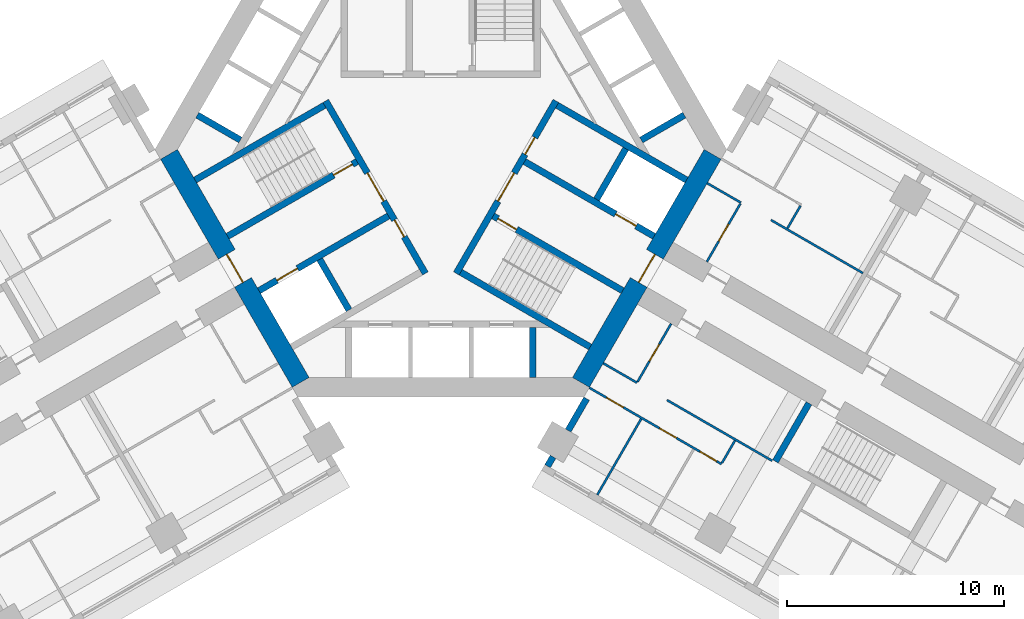
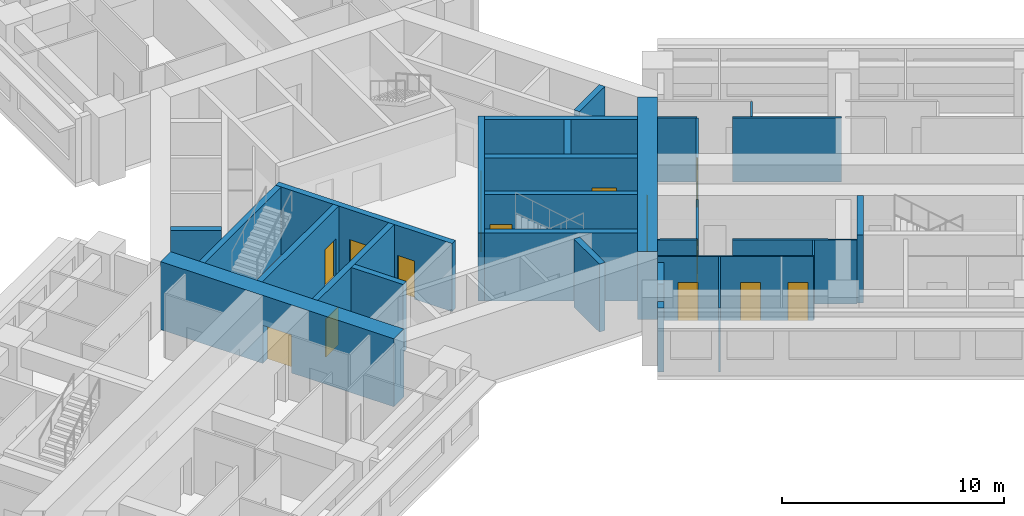
# One storey, part 7 of 16: 29 walls, 15 doors, 15 openings.
"""IFC4 building model written with IfcOpenShell, lengths in metres."""

from ifc_helpers import new_model, si_unit, direction, frame, frame_2d, origin, place, context, subcontext, project, spatial, rectangle, extrude, material, layer, layer_set, type_object, element, fill, save


model = new_model("IFC4")

# Units and contexts
model_context = context("Model", 3, precision=1e-05, world=origin(), true_north=direction((0.0, 1.0)))
body_context = subcontext(model_context, "Body", "Model", "MODEL_VIEW")
ifc_project = project(units=[si_unit("LENGTHUNIT", "METRE"), si_unit("AREAUNIT", "SQUARE_METRE"), si_unit("VOLUMEUNIT", "CUBIC_METRE"), si_unit("PLANEANGLEUNIT", "RADIAN"), si_unit("MASSUNIT", "GRAM", prefix="KILO")], contexts=[model_context])

# Site, building, storey
site_placement = place(None, origin())
site = spatial("IfcSite", under=ifc_project, at=site_placement, CompositionType="ELEMENT")
building_placement = place(site_placement, origin())
building = spatial("IfcBuilding", under=site, at=building_placement, Name="Impinga Residences", CompositionType="ELEMENT")
storey_placement = place(building_placement, frame((0.0, 0.0, 71.0)))
storey = spatial("IfcBuildingStorey", under=building, at=storey_placement, Name="L17", CompositionType="ELEMENT", Elevation=71.0)

# Walls
ifc_material_1 = material(Name="Terracotta rainscreen on blockwork", Category="masonry")
ifc_layer_1 = layer(ifc_material_1, 0.300048828125)
ifc_layer_set_1 = layer_set([ifc_layer_1], Name="EW1 external wall, terracotta rainscreen on blockwork 300")
wall_type_1 = type_object("IfcWallType", Name="EW1 external wall, terracotta rainscreen on blockwork 300", PredefinedType="SOLIDWALL", material=ifc_layer_set_1)
wall_1_placement = place(storey_placement, frame((4.929931640625, -14.624267578125, 0.0), z_axis=(0.0, 0.0, 1.0), x_axis=(0.499919672301, 0.866071776036, 0.0)))
element("IfcWall", 1, at=wall_1_placement, inside=storey, type_object=wall_type_1, Name="External wall EW1 L17", PredefinedType="SOLIDWALL", context=body_context, shape_type="SweptSolid", body=[
    extrude(rectangle(XDim=0.5, YDim=0.300048828125, at=frame_2d((0.25, 0.0))), origin(), (0.0, 0.0, 1.0), 3.530029296875),
])
wall_2_placement = place(storey_placement, frame((5.8798828125, -12.978759765625, 0.0), z_axis=(0.0, 0.0, 1.0), x_axis=(0.500062241894, 0.865989465428, 0.0)))
element("IfcWall", 2, at=wall_2_placement, inside=storey, type_object=wall_type_1, Name="External wall EW1 L17", PredefinedType="SOLIDWALL", context=body_context, shape_type="SweptSolid", body=[
    extrude(rectangle(XDim=1.699951171875, YDim=0.300048828125, at=frame_2d((0.85009765625, 0.0))), origin(), (0.0, 0.0, 1.0), 3.530029296875),
])
ifc_material_2 = material(Name="Gypsum board on steel studs", Category="steel")
ifc_layer_2 = layer(ifc_material_2, 0.10009765625)
ifc_layer_set_2 = layer_set([ifc_layer_2], Name="Gypsum board on steel studs")
wall_type_2 = type_object("IfcWallType", Name="IP1 partition 100", PredefinedType="PARTITIONING", material=ifc_layer_set_2)
wall_3_placement = place(storey_placement, frame((12.300048828125, -1.558837890625, 0.0), z_axis=(0.0, 0.0, 1.0), x_axis=(0.866047807691, -0.499961193289, 0.0)))
element("IfcWall", 3, at=wall_3_placement, inside=storey, type_object=wall_type_2, Name="Partition L17-EA1:DIV0", PredefinedType="PARTITIONING", context=body_context, shape_type="SweptSolid", body=[
    extrude(rectangle(XDim=1.800048828125, YDim=0.10009765625, at=frame_2d((0.89990234375, 0.0))), origin(), (0.0, 0.0, 1.0), 3.530029296875),
])
wall_4_placement = place(storey_placement, frame((15.244384765625, -3.2587890625, 0.0), z_axis=(0.0, 0.0, 1.0), x_axis=(0.866036242063, -0.49998122708, 0.0)))
element("IfcWall", 4, at=wall_4_placement, inside=storey, type_object=wall_type_2, Name="Partition L17-EA1:DIV1", PredefinedType="PARTITIONING", context=body_context, shape_type="SweptSolid", body=[
    extrude(rectangle(XDim=4.900146484375, YDim=0.10009765625, at=frame_2d((2.4501953125, 0.0))), origin(), (0.0, 0.0, 1.0), 3.530029296875),
])
wall_5_placement = place(storey_placement, frame((16.005615234375, -3.640625, 0.0), z_axis=(0.0, 0.0, 1.0), x_axis=(0.500033551112, 0.866006032174, 0.0)))
element("IfcWall", 5, at=wall_5_placement, inside=storey, type_object=wall_type_2, Name="Partition L17-EA1:SE1", PredefinedType="PARTITIONING", context=body_context, shape_type="SweptSolid", body=[
    extrude(rectangle(XDim=1.2001953125, YDim=0.10009765625, at=frame_2d((0.60009765625, 0.0))), origin(), (0.0, 0.0, 1.0), 3.530029296875),
])

# Wall, opening, door
wall_6_placement = place(storey_placement, frame((12.283935546875, -5.186767578125, 0.0), z_axis=(0.0, 0.0, 1.0), x_axis=(0.499967891604, 0.866043940782, 0.0)))
wall_6 = element("IfcWall", 6, at=wall_6_placement, inside=storey, type_object=wall_type_2, Name="Partition L17-EA1:IB1", PredefinedType="PARTITIONING", context=body_context, shape_type="SweptSolid", body=[
    extrude(rectangle(XDim=3.099853515625, YDim=0.10009765625, at=frame_2d((1.5498046875, 0.0))), origin(), (0.0, 0.0, 1.0), 3.530029296875),
])
opening_1_placement = place(wall_6_placement, frame((1.10009765625, 0.0, 0.0)))
opening_1 = element("IfcOpeningElement", 7, at=opening_1_placement, cuts=wall_6, Name="Opening D2", PredefinedType="OPENING", context=body_context, shape_type="SweptSolid", body=[
    extrude(rectangle(XDim=0.89990234375, YDim=2.10009765625, at=frame_2d((0.449951171875, 1.050048828125))), frame((0.0, 0.06005859375, 0.0), z_axis=(0.0, -1.0, 0.0), x_axis=(1.0, 0.0, 0.0)), (0.0, 0.0, 1.0), 0.1201171875),
])
ifc_material_3 = material(Name="Timber door set", Category="wood")
door_type_1 = type_object("IfcDoorType", Name="D2 internal door 900x2100", OperationType="SINGLE_SWING_LEFT", PredefinedType="DOOR", material=ifc_material_3)
door_1_placement = place(opening_1_placement, origin())
door_1 = element("IfcDoor", 8, at=door_1_placement, inside=storey, type_object=door_type_1, Name="Apartment L17-EA1 bathroom door", OperationType="SINGLE_SWING_LEFT", OverallHeight=2.10009765625, OverallWidth=0.89990234375, PredefinedType="DOOR", context=body_context, shape_type="SweptSolid", body=[
    extrude(rectangle(XDim=0.89990234375, YDim=2.10009765625, at=frame_2d((0.449951171875, 1.050048828125))), frame((0.0, 0.02490234375, 0.0), z_axis=(0.0, -1.0, 0.0), x_axis=(1.0, 0.0, 0.0)), (0.0, 0.0, 1.0), 0.050048828125),
])
fill(opening_1, door_1)

# Walls
wall_7_placement = place(storey_placement, frame((7.5, -9.872802734375, 0.0), z_axis=(0.0, 0.0, 1.0), x_axis=(0.866047807691, -0.499961193289, 0.0)))
element("IfcWall", 9, at=wall_7_placement, inside=storey, type_object=wall_type_2, Name="Partition L17-EF1:DIV0", PredefinedType="PARTITIONING", context=body_context, shape_type="SweptSolid", body=[
    extrude(rectangle(XDim=1.800048828125, YDim=0.10009765625, at=frame_2d((0.89990234375, 0.0))), origin(), (0.0, 0.0, 1.0), 3.530029296875),
])
wall_8_placement = place(storey_placement, frame((10.444580078125, -11.57275390625, 0.0), z_axis=(0.0, 0.0, 1.0), x_axis=(0.866015695474, -0.500016814911, 0.0)))
element("IfcWall", 10, at=wall_8_placement, inside=storey, type_object=wall_type_2, Name="Partition L17-EF1:DIV1", PredefinedType="PARTITIONING", context=body_context, shape_type="SweptSolid", body=[
    extrude(rectangle(XDim=5.599853515625, YDim=0.10009765625, at=frame_2d((2.7998046875, 0.0))), origin(), (0.0, 0.0, 1.0), 3.530029296875),
])

# Wall, openings, doors
wall_9_placement = place(storey_placement, frame((6.85009765625, -10.99853515625, 0.0), z_axis=(0.0, 0.0, 1.0), x_axis=(0.866031034943, -0.499990246421, 0.0)))
wall_9 = element("IfcWall", 11, at=wall_9_placement, inside=storey, type_object=wall_type_2, Name="Partition L17-EF1:STRIP", PredefinedType="PARTITIONING", context=body_context, shape_type="SweptSolid", body=[
    extrude(rectangle(XDim=7.050048828125, YDim=0.10009765625, at=frame_2d((3.52490234375, 0.0))), origin(), (0.0, 0.0, 1.0), 3.530029296875),
])
opening_2_placement = place(wall_9_placement, frame((0.925048828125, 0.0, 0.0)))
opening_2 = element("IfcOpeningElement", 12, at=opening_2_placement, cuts=wall_9, Name="Opening D2", PredefinedType="OPENING", context=body_context, shape_type="SweptSolid", body=[
    extrude(rectangle(XDim=0.89990234375, YDim=2.10009765625, at=frame_2d((0.449951171875, 1.050048828125))), frame((0.0, 0.06005859375, 0.0), z_axis=(0.0, -1.0, 0.0), x_axis=(1.0, 0.0, 0.0)), (0.0, 0.0, 1.0), 0.1201171875),
])
opening_3_placement = place(wall_9_placement, frame((3.75, 0.0, 0.0)))
opening_3 = element("IfcOpeningElement", 13, at=opening_3_placement, cuts=wall_9, Name="Opening D2", PredefinedType="OPENING", context=body_context, shape_type="SweptSolid", body=[
    extrude(rectangle(XDim=0.89990234375, YDim=2.10009765625, at=frame_2d((0.449951171875, 1.050048828125))), frame((0.0, 0.06005859375, 0.0), z_axis=(0.0, -1.0, 0.0), x_axis=(1.0, 0.0, 0.0)), (0.0, 0.0, 1.0), 0.1201171875),
])
opening_4_placement = place(wall_9_placement, frame((5.89990234375, 0.0, 0.0)))
opening_4 = element("IfcOpeningElement", 14, at=opening_4_placement, cuts=wall_9, Name="Opening D2", PredefinedType="OPENING", context=body_context, shape_type="SweptSolid", body=[
    extrude(rectangle(XDim=0.89990234375, YDim=2.10009765625, at=frame_2d((0.449951171875, 1.050048828125))), frame((0.0, 0.06005859375, 0.0), z_axis=(0.0, -1.0, 0.0), x_axis=(1.0, 0.0, 0.0)), (0.0, 0.0, 1.0), 0.1201171875),
])
door_2_placement = place(opening_2_placement, origin())
door_2 = element("IfcDoor", 15, at=door_2_placement, inside=storey, type_object=door_type_1, Name="Apartment L17-EF1 room door", OperationType="SINGLE_SWING_LEFT", OverallHeight=2.10009765625, OverallWidth=0.89990234375, PredefinedType="DOOR", context=body_context, shape_type="SweptSolid", body=[
    extrude(rectangle(XDim=0.89990234375, YDim=2.10009765625, at=frame_2d((0.449951171875, 1.050048828125))), frame((0.0, 0.02490234375, 0.0), z_axis=(0.0, -1.0, 0.0), x_axis=(1.0, 0.0, 0.0)), (0.0, 0.0, 1.0), 0.050048828125),
])
fill(opening_2, door_2)
door_3_placement = place(opening_3_placement, origin())
door_3 = element("IfcDoor", 16, at=door_3_placement, inside=storey, type_object=door_type_1, Name="Apartment L17-EF1 room door", OperationType="SINGLE_SWING_RIGHT", OverallHeight=2.10009765625, OverallWidth=0.89990234375, PredefinedType="DOOR", context=body_context, shape_type="SweptSolid", body=[
    extrude(rectangle(XDim=0.89990234375, YDim=2.10009765625, at=frame_2d((0.449951171875, 1.050048828125))), frame((0.0, 0.02490234375, 0.0), z_axis=(0.0, -1.0, 0.0), x_axis=(1.0, 0.0, 0.0)), (0.0, 0.0, 1.0), 0.050048828125),
])
fill(opening_3, door_3)
door_4_placement = place(opening_4_placement, origin())
door_4 = element("IfcDoor", 17, at=door_4_placement, inside=storey, type_object=door_type_1, Name="Apartment L17-EF1 room door", OperationType="SINGLE_SWING_RIGHT", OverallHeight=2.10009765625, OverallWidth=0.89990234375, PredefinedType="DOOR", context=body_context, shape_type="SweptSolid", body=[
    extrude(rectangle(XDim=0.89990234375, YDim=2.10009765625, at=frame_2d((0.449951171875, 1.050048828125))), frame((0.0, 0.02490234375, 0.0), z_axis=(0.0, -1.0, 0.0), x_axis=(1.0, 0.0, 0.0)), (0.0, 0.0, 1.0), 0.050048828125),
])
fill(opening_4, door_4)

# Wall
wall_10_placement = place(storey_placement, frame((13.58056640625, -13.44091796875, 0.0), z_axis=(0.0, 0.0, 1.0), x_axis=(-0.500033551112, -0.866006032174, 0.0)))
element("IfcWall", 18, at=wall_10_placement, inside=storey, type_object=wall_type_2, Name="Partition L17-EF1:SE1", PredefinedType="PARTITIONING", context=body_context, shape_type="SweptSolid", body=[
    extrude(rectangle(XDim=1.2001953125, YDim=0.10009765625, at=frame_2d((0.60009765625, 0.0))), origin(), (0.0, 0.0, 1.0), 3.530029296875),
])

# Wall, opening, door
wall_11_placement = place(storey_placement, frame((10.6337890625, -8.044677734375, 0.0), z_axis=(0.0, 0.0, 1.0), x_axis=(-0.49999285859, -0.86602952684, 0.0)))
wall_11 = element("IfcWall", 19, at=wall_11_placement, inside=storey, type_object=wall_type_2, Name="Partition L17-EF1:IB1", PredefinedType="PARTITIONING", context=body_context, shape_type="SweptSolid", body=[
    extrude(rectangle(XDim=3.10009765625, YDim=0.10009765625, at=frame_2d((1.550048828125, 0.0))), origin(), (0.0, 0.0, 1.0), 3.530029296875),
])
opening_5_placement = place(wall_11_placement, frame((1.10009765625, 0.0, 0.0)))
opening_5 = element("IfcOpeningElement", 20, at=opening_5_placement, cuts=wall_11, Name="Opening D2", PredefinedType="OPENING", context=body_context, shape_type="SweptSolid", body=[
    extrude(rectangle(XDim=0.89990234375, YDim=2.10009765625, at=frame_2d((0.449951171875, 1.050048828125))), frame((0.0, 0.06005859375, 0.0), z_axis=(0.0, -1.0, 0.0), x_axis=(1.0, 0.0, 0.0)), (0.0, 0.0, 1.0), 0.1201171875),
])
door_5_placement = place(opening_5_placement, origin())
door_5 = element("IfcDoor", 21, at=door_5_placement, inside=storey, type_object=door_type_1, Name="Apartment L17-EF1 bathroom door", OperationType="SINGLE_SWING_LEFT", OverallHeight=2.10009765625, OverallWidth=0.89990234375, PredefinedType="DOOR", context=body_context, shape_type="SweptSolid", body=[
    extrude(rectangle(XDim=0.89990234375, YDim=2.10009765625, at=frame_2d((0.449951171875, 1.050048828125))), frame((0.0, 0.02490234375, 0.0), z_axis=(0.0, -1.0, 0.0), x_axis=(1.0, 0.0, 0.0)), (0.0, 0.0, 1.0), 0.050048828125),
])
fill(opening_5, door_5)

# Walls
wall_12_placement = place(storey_placement, frame((9.249755859375, -12.44189453125, 0.0), z_axis=(0.0, 0.0, 1.0), x_axis=(-0.499990325971, -0.866030989016, 0.0)))
element("IfcWall", 22, at=wall_12_placement, inside=storey, type_object=wall_type_2, Name="Partition L17-EF1:OB1", PredefinedType="PARTITIONING", context=body_context, shape_type="SweptSolid", body=[
    extrude(rectangle(XDim=4.0498046875, YDim=0.10009765625, at=frame_2d((2.02490234375, 0.0))), origin(), (0.0, 0.0, 1.0), 3.530029296875),
])
ifc_material_4 = material(Name="Concrete C60/75", Category="concrete")
ifc_layer_3 = layer(ifc_material_4, 0.300048828125)
ifc_layer_set_3 = layer_set([ifc_layer_3], Name="Concrete C60/75")
wall_type_3 = type_object("IfcWallType", Name="SE1 wing stair enclosure wall 300", PredefinedType="SOLIDWALL", material=ifc_layer_set_3)
wall_13_placement = place(storey_placement, frame((16.9990234375, -11.7197265625, 0.0), z_axis=(0.0, 0.0, 1.0), x_axis=(-0.499967891604, -0.866043940782, 0.0)))
element("IfcWall", 23, at=wall_13_placement, inside=storey, type_object=wall_type_3, Name="Stair enclosure wall SE1 E END0 L17", PredefinedType="SOLIDWALL", context=body_context, shape_type="SweptSolid", body=[
    extrude(rectangle(XDim=3.099853515625, YDim=0.300048828125, at=frame_2d((1.5498046875, 0.0))), origin(), (0.0, 0.0, 1.0), 3.75),
])

# Wall, opening, door
ifc_material_5 = material(Name="Concrete C70/85", Category="concrete")
ifc_layer_4 = layer(ifc_material_5, 0.89990234375)
ifc_layer_set_4 = layer_set([ifc_layer_4], Name="Concrete C70/85")
wall_type_4 = type_object("IfcWallType", Name="SW1 core wall 900", PredefinedType="SHEAR", material=ifc_layer_set_4)
wall_14_placement = place(storey_placement, frame((-6.47021484375, -10.756591796875, 0.0), z_axis=(0.0, 0.0, 1.0), x_axis=(-0.499997612506, 0.8660267822, 0.0)))
wall_14 = element("IfcWall", 24, at=wall_14_placement, inside=storey, type_object=wall_type_4, Name="Core wall SW1 W:FACE L17", PredefinedType="SHEAR", context=body_context, shape_type="SweptSolid", body=[
    extrude(rectangle(XDim=12.16064453125, YDim=0.89990234375, at=frame_2d((6.080322265625, 0.0))), origin(), (0.0, 0.0, 1.0), 3.75),
])
opening_6_placement = place(wall_14_placement, frame((5.330322265625, 0.0, 0.0)))
opening_6 = element("IfcOpeningElement", 25, at=opening_6_placement, cuts=wall_14, Name="Opening D4", PredefinedType="OPENING", context=body_context, shape_type="SweptSolid", body=[
    extrude(rectangle(XDim=1.5, YDim=2.10009765625, at=frame_2d((0.75, 1.050048828125))), frame((0.0, 0.4599609375, 0.0), z_axis=(0.0, -1.0, 0.0), x_axis=(1.0, 0.0, 0.0)), (0.0, 0.0, 1.0), 0.919921875),
])
door_type_2 = type_object("IfcDoorType", Name="D4 lobby door pair 1500x2100", OperationType="DOUBLE_DOOR_DOUBLE_SWING", PredefinedType="DOOR", material=ifc_material_3)
door_6_placement = place(opening_6_placement, origin())
door_6 = element("IfcDoor", 26, at=door_6_placement, inside=storey, type_object=door_type_2, Name="Lobby door W", OperationType="DOUBLE_DOOR_DOUBLE_SWING", OverallHeight=2.10009765625, OverallWidth=1.5, PredefinedType="DOOR", context=body_context, shape_type="SweptSolid", body=[
    extrude(rectangle(XDim=1.5, YDim=2.10009765625, at=frame_2d((0.75, 1.050048828125))), frame((0.0, 0.02490234375, 0.0), z_axis=(0.0, -1.0, 0.0), x_axis=(1.0, 0.0, 0.0)), (0.0, 0.0, 1.0), 0.050048828125),
])
fill(opening_6, door_6)

wall_15_placement = place(storey_placement, frame((12.550537109375, -0.22509765625, 0.0), z_axis=(0.0, 0.0, 1.0), x_axis=(-0.499997612506, -0.8660267822, 0.0)))
wall_15 = element("IfcWall", 27, at=wall_15_placement, inside=storey, type_object=wall_type_4, Name="Core wall SW1 E:FACE L17", PredefinedType="SHEAR", context=body_context, shape_type="SweptSolid", body=[
    extrude(rectangle(XDim=12.16064453125, YDim=0.89990234375, at=frame_2d((6.080322265625, 0.0))), origin(), (0.0, 0.0, 1.0), 3.75),
])
opening_7_placement = place(wall_15_placement, frame((5.330322265625, 0.0, 0.0)))
opening_7 = element("IfcOpeningElement", 28, at=opening_7_placement, cuts=wall_15, Name="Opening D4", PredefinedType="OPENING", context=body_context, shape_type="SweptSolid", body=[
    extrude(rectangle(XDim=1.5, YDim=2.10009765625, at=frame_2d((0.75, 1.050048828125))), frame((0.0, 0.4599609375, 0.0), z_axis=(0.0, -1.0, 0.0), x_axis=(1.0, 0.0, 0.0)), (0.0, 0.0, 1.0), 0.919921875),
])
door_7_placement = place(opening_7_placement, origin())
door_7 = element("IfcDoor", 29, at=door_7_placement, inside=storey, type_object=door_type_2, Name="Lobby door E", OperationType="DOUBLE_DOOR_DOUBLE_SWING", OverallHeight=2.10009765625, OverallWidth=1.5, PredefinedType="DOOR", context=body_context, shape_type="SweptSolid", body=[
    extrude(rectangle(XDim=1.5, YDim=2.10009765625, at=frame_2d((0.75, 1.050048828125))), frame((0.0, 0.02490234375, 0.0), z_axis=(0.0, -1.0, 0.0), x_axis=(1.0, 0.0, 0.0)), (0.0, 0.0, 1.0), 0.050048828125),
])
fill(opening_7, door_7)

# Wall, openings, doors
ifc_layer_5 = layer(ifc_material_5, 0.300048828125)
ifc_layer_set_5 = layer_set([ifc_layer_5], Name="Concrete C70/85")
wall_type_5 = type_object("IfcWallType", Name="SW5 core inner wall, stairs, shafts and lobbies 300", PredefinedType="SHEAR", material=ifc_layer_set_5)
wall_16_placement = place(storey_placement, frame((-0.7138671875, -5.7236328125, 0.0), z_axis=(0.0, 0.0, 1.0), x_axis=(-0.499995050369, 0.866028261437, 0.0)))
wall_16 = element("IfcWall", 30, at=wall_16_placement, inside=storey, type_object=wall_type_5, Name="Core wall SW5 W:ZONE L17", PredefinedType="SHEAR", context=body_context, shape_type="SweptSolid", body=[
    extrude(rectangle(XDim=9.19970703125, YDim=0.300048828125, at=frame_2d((4.599853515625, 0.0))), origin(), (0.0, 0.0, 1.0), 3.75),
])
opening_8_placement = place(wall_16_placement, frame((3.85009765625, 0.0, 0.0)))
opening_8 = element("IfcOpeningElement", 31, at=opening_8_placement, cuts=wall_16, Name="Opening D4", PredefinedType="OPENING", context=body_context, shape_type="SweptSolid", body=[
    extrude(rectangle(XDim=1.5, YDim=2.10009765625, at=frame_2d((0.75, 1.050048828125))), frame((0.0, 0.159912109375, 0.0), z_axis=(0.0, -1.0, 0.0), x_axis=(1.0, 0.0, 0.0)), (0.0, 0.0, 1.0), 0.320068359375),
])
opening_9_placement = place(wall_16_placement, frame((1.949951171875, 0.0, 0.0)))
opening_9 = element("IfcOpeningElement", 32, at=opening_9_placement, cuts=wall_16, Name="Opening D6", PredefinedType="OPENING", context=body_context, shape_type="SweptSolid", body=[
    extrude(rectangle(XDim=0.89990234375, YDim=2.10009765625, at=frame_2d((0.449951171875, 1.050048828125))), frame((0.0, 0.159912109375, 0.0), z_axis=(0.0, -1.0, 0.0), x_axis=(1.0, 0.0, 0.0)), (0.0, 0.0, 1.0), 0.320068359375),
])
door_8_placement = place(opening_8_placement, origin())
door_8 = element("IfcDoor", 33, at=door_8_placement, inside=storey, type_object=door_type_2, Name="Firefighting lobby door W", OperationType="DOUBLE_DOOR_DOUBLE_SWING", OverallHeight=2.10009765625, OverallWidth=1.5, PredefinedType="DOOR", context=body_context, shape_type="SweptSolid", body=[
    extrude(rectangle(XDim=1.5, YDim=2.10009765625, at=frame_2d((0.75, 1.050048828125))), frame((0.0, 0.02490234375, 0.0), z_axis=(0.0, -1.0, 0.0), x_axis=(1.0, 0.0, 0.0)), (0.0, 0.0, 1.0), 0.050048828125),
])
fill(opening_8, door_8)
door_type_3 = type_object("IfcDoorType", Name="D6 riser and store door 900x2100", OperationType="SINGLE_SWING_LEFT", PredefinedType="DOOR", material=ifc_material_3)
door_9_placement = place(opening_9_placement, origin())
door_9 = element("IfcDoor", 34, at=door_9_placement, inside=storey, type_object=door_type_3, Name="Riser door W", OperationType="SINGLE_SWING_LEFT", OverallHeight=2.10009765625, OverallWidth=0.89990234375, PredefinedType="DOOR", context=body_context, shape_type="SweptSolid", body=[
    extrude(rectangle(XDim=0.89990234375, YDim=2.10009765625, at=frame_2d((0.449951171875, 1.050048828125))), frame((0.0, 0.02490234375, 0.0), z_axis=(0.0, -1.0, 0.0), x_axis=(1.0, 0.0, 0.0)), (0.0, 0.0, 1.0), 0.050048828125),
])
fill(opening_9, door_9)

# Wall, opening, door
wall_17_placement = place(storey_placement, frame((-3.86865234375, -0.559326171875, 0.0), z_axis=(0.0, 0.0, 1.0), x_axis=(-0.86602711848, -0.499997030048, 0.0)))
wall_17 = element("IfcWall", 35, at=wall_17_placement, inside=storey, type_object=wall_type_5, Name="Core wall SW5 W:ST-IN L17", PredefinedType="SHEAR", context=body_context, shape_type="SweptSolid", body=[
    extrude(rectangle(XDim=6.9013671875, YDim=0.300048828125, at=frame_2d((3.45068359375, 0.0))), origin(), (0.0, 0.0, 1.0), 3.75),
])
opening_10_placement = place(wall_17_placement, frame((0.25, 0.0, 0.0)))
opening_10 = element("IfcOpeningElement", 36, at=opening_10_placement, cuts=wall_17, Name="Opening D5", PredefinedType="OPENING", context=body_context, shape_type="SweptSolid", body=[
    extrude(rectangle(XDim=1.0, YDim=2.10009765625, at=frame_2d((0.5, 1.050048828125))), frame((0.0, 0.159912109375, 0.0), z_axis=(0.0, -1.0, 0.0), x_axis=(1.0, 0.0, 0.0)), (0.0, 0.0, 1.0), 0.320068359375),
])
door_type_4 = type_object("IfcDoorType", Name="D5 stair door 1000x2100", OperationType="SINGLE_SWING_LEFT", PredefinedType="DOOR", material=ifc_material_3)
door_10_placement = place(opening_10_placement, origin())
door_10 = element("IfcDoor", 37, at=door_10_placement, inside=storey, type_object=door_type_4, Name="Stair door W", OperationType="SINGLE_SWING_LEFT", OverallHeight=2.10009765625, OverallWidth=1.0, PredefinedType="DOOR", context=body_context, shape_type="SweptSolid", body=[
    extrude(rectangle(XDim=1.0, YDim=2.10009765625, at=frame_2d((0.5, 1.050048828125))), frame((0.0, 0.02490234375, 0.0), z_axis=(0.0, -1.0, 0.0), x_axis=(1.0, 0.0, 0.0)), (0.0, 0.0, 1.0), 0.050048828125),
])
fill(opening_10, door_10)

# Wall
wall_18_placement = place(storey_placement, frame((-5.36865234375, 2.038818359375, 0.0), z_axis=(0.0, 0.0, 1.0), x_axis=(-0.86602711848, -0.499997030048, 0.0)))
element("IfcWall", 38, at=wall_18_placement, inside=storey, type_object=wall_type_5, Name="Core wall SW5 W:ST-OUT L17", PredefinedType="SHEAR", context=body_context, shape_type="SweptSolid", body=[
    extrude(rectangle(XDim=6.9013671875, YDim=0.300048828125, at=frame_2d((3.45068359375, 0.0))), origin(), (0.0, 0.0, 1.0), 3.75),
])

# Wall, opening, door
wall_19_placement = place(storey_placement, frame((-2.418701171875, -3.07080078125, 0.0), z_axis=(0.0, 0.0, 1.0), x_axis=(-0.86602711848, -0.499997030048, 0.0)))
wall_19 = element("IfcWall", 39, at=wall_19_placement, inside=storey, type_object=wall_type_5, Name="Core wall SW5 W:FF-IN L17", PredefinedType="SHEAR", context=body_context, shape_type="SweptSolid", body=[
    extrude(rectangle(XDim=6.9013671875, YDim=0.300048828125, at=frame_2d((3.45068359375, 0.0))), origin(), (0.0, 0.0, 1.0), 3.75),
])
opening_11_placement = place(wall_19_placement, frame((4.85009765625, 0.0, 0.0)))
opening_11 = element("IfcOpeningElement", 40, at=opening_11_placement, cuts=wall_19, Name="Opening LD2", PredefinedType="OPENING", context=body_context, shape_type="SweptSolid", body=[
    extrude(rectangle(XDim=1.10009765625, YDim=2.10009765625, at=frame_2d((0.550048828125, 1.050048828125))), frame((0.0, 0.159912109375, 0.0), z_axis=(0.0, -1.0, 0.0), x_axis=(1.0, 0.0, 0.0)), (0.0, 0.0, 1.0), 0.320068359375),
])
ifc_material_6 = material(Name="Steel lift landing door", Category="steel")
door_type_5 = type_object("IfcDoorType", Name="LD2 firefighting lift landing door 1100x2100", OperationType="DOUBLE_DOOR_SLIDING", PredefinedType="DOOR", material=ifc_material_6)
door_11_placement = place(opening_11_placement, origin())
door_11 = element("IfcDoor", 41, at=door_11_placement, inside=storey, type_object=door_type_5, Name="Firefighting lift landing door F2", OperationType="DOUBLE_DOOR_SLIDING", OverallHeight=2.10009765625, OverallWidth=1.10009765625, PredefinedType="DOOR", context=body_context, shape_type="SweptSolid", body=[
    extrude(rectangle(XDim=1.10009765625, YDim=2.10009765625, at=frame_2d((0.550048828125, 1.050048828125))), frame((0.0, 0.02490234375, 0.0), z_axis=(0.0, -1.0, 0.0), x_axis=(1.0, 0.0, 0.0)), (0.0, 0.0, 1.0), 0.050048828125),
])
fill(opening_11, door_11)

# Wall
wall_20_placement = place(storey_placement, frame((-4.2412109375, -7.413818359375, 0.0), z_axis=(0.0, 0.0, 1.0), x_axis=(-0.500048589285, 0.86599734893, 0.0)))
element("IfcWall", 42, at=wall_20_placement, inside=storey, type_object=wall_type_5, Name="Core wall SW5 W:FF-RS L17", PredefinedType="SHEAR", context=body_context, shape_type="SweptSolid", body=[
    extrude(rectangle(XDim=2.699951171875, YDim=0.300048828125, at=frame_2d((1.35009765625, 0.0))), origin(), (0.0, 0.0, 1.0), 3.75),
])

# Wall, openings, doors
wall_21_placement = place(storey_placement, frame((5.313720703125, 2.24365234375, 0.0), z_axis=(0.0, 0.0, 1.0), x_axis=(-0.499995050369, -0.866028261437, 0.0)))
wall_21 = element("IfcWall", 43, at=wall_21_placement, inside=storey, type_object=wall_type_5, Name="Core wall SW5 E:ZONE L17", PredefinedType="SHEAR", context=body_context, shape_type="SweptSolid", body=[
    extrude(rectangle(XDim=9.19970703125, YDim=0.300048828125, at=frame_2d((4.599853515625, 0.0))), origin(), (0.0, 0.0, 1.0), 3.75),
])
opening_12_placement = place(wall_21_placement, frame((3.85009765625, 0.0, 0.0)))
opening_12 = element("IfcOpeningElement", 44, at=opening_12_placement, cuts=wall_21, Name="Opening D4", PredefinedType="OPENING", context=body_context, shape_type="SweptSolid", body=[
    extrude(rectangle(XDim=1.5, YDim=2.10009765625, at=frame_2d((0.75, 1.050048828125))), frame((0.0, 0.159912109375, 0.0), z_axis=(0.0, -1.0, 0.0), x_axis=(1.0, 0.0, 0.0)), (0.0, 0.0, 1.0), 0.320068359375),
])
opening_13_placement = place(wall_21_placement, frame((1.949951171875, 0.0, 0.0)))
opening_13 = element("IfcOpeningElement", 45, at=opening_13_placement, cuts=wall_21, Name="Opening D6", PredefinedType="OPENING", context=body_context, shape_type="SweptSolid", body=[
    extrude(rectangle(XDim=0.89990234375, YDim=2.10009765625, at=frame_2d((0.449951171875, 1.050048828125))), frame((0.0, 0.159912109375, 0.0), z_axis=(0.0, -1.0, 0.0), x_axis=(1.0, 0.0, 0.0)), (0.0, 0.0, 1.0), 0.320068359375),
])
door_12_placement = place(opening_12_placement, origin())
door_12 = element("IfcDoor", 46, at=door_12_placement, inside=storey, type_object=door_type_2, Name="Firefighting lobby door E", OperationType="DOUBLE_DOOR_DOUBLE_SWING", OverallHeight=2.10009765625, OverallWidth=1.5, PredefinedType="DOOR", context=body_context, shape_type="SweptSolid", body=[
    extrude(rectangle(XDim=1.5, YDim=2.10009765625, at=frame_2d((0.75, 1.050048828125))), frame((0.0, 0.02490234375, 0.0), z_axis=(0.0, -1.0, 0.0), x_axis=(1.0, 0.0, 0.0)), (0.0, 0.0, 1.0), 0.050048828125),
])
fill(opening_12, door_12)
door_13_placement = place(opening_13_placement, origin())
door_13 = element("IfcDoor", 47, at=door_13_placement, inside=storey, type_object=door_type_3, Name="Riser door E", OperationType="SINGLE_SWING_LEFT", OverallHeight=2.10009765625, OverallWidth=0.89990234375, PredefinedType="DOOR", context=body_context, shape_type="SweptSolid", body=[
    extrude(rectangle(XDim=0.89990234375, YDim=2.10009765625, at=frame_2d((0.449951171875, 1.050048828125))), frame((0.0, 0.02490234375, 0.0), z_axis=(0.0, -1.0, 0.0), x_axis=(1.0, 0.0, 0.0)), (0.0, 0.0, 1.0), 0.050048828125),
])
fill(opening_13, door_13)

# Wall, opening, door
wall_22_placement = place(storey_placement, frame((2.418701171875, -3.07080078125, 0.0), z_axis=(0.0, 0.0, 1.0), x_axis=(0.86602711848, -0.499997030048, 0.0)))
wall_22 = element("IfcWall", 48, at=wall_22_placement, inside=storey, type_object=wall_type_5, Name="Core wall SW5 E:ST-IN L17", PredefinedType="SHEAR", context=body_context, shape_type="SweptSolid", body=[
    extrude(rectangle(XDim=6.9013671875, YDim=0.300048828125, at=frame_2d((3.45068359375, 0.0))), origin(), (0.0, 0.0, 1.0), 3.75),
])
opening_14_placement = place(wall_22_placement, frame((0.25, 0.0, 0.0)))
opening_14 = element("IfcOpeningElement", 49, at=opening_14_placement, cuts=wall_22, Name="Opening D5", PredefinedType="OPENING", context=body_context, shape_type="SweptSolid", body=[
    extrude(rectangle(XDim=1.0, YDim=2.10009765625, at=frame_2d((0.5, 1.050048828125))), frame((0.0, 0.159912109375, 0.0), z_axis=(0.0, -1.0, 0.0), x_axis=(1.0, 0.0, 0.0)), (0.0, 0.0, 1.0), 0.320068359375),
])
door_14_placement = place(opening_14_placement, origin())
door_14 = element("IfcDoor", 50, at=door_14_placement, inside=storey, type_object=door_type_4, Name="Stair door E", OperationType="SINGLE_SWING_LEFT", OverallHeight=2.10009765625, OverallWidth=1.0, PredefinedType="DOOR", context=body_context, shape_type="SweptSolid", body=[
    extrude(rectangle(XDim=1.0, YDim=2.10009765625, at=frame_2d((0.5, 1.050048828125))), frame((0.0, 0.02490234375, 0.0), z_axis=(0.0, -1.0, 0.0), x_axis=(1.0, 0.0, 0.0)), (0.0, 0.0, 1.0), 0.050048828125),
])
fill(opening_14, door_14)

# Wall
wall_23_placement = place(storey_placement, frame((0.918701171875, -5.668701171875, 0.0), z_axis=(0.0, 0.0, 1.0), x_axis=(0.866011800373, -0.500023561059, 0.0)))
element("IfcWall", 51, at=wall_23_placement, inside=storey, type_object=wall_type_5, Name="Core wall SW5 E:ST-OUT L17", PredefinedType="SHEAR", context=body_context, shape_type="SweptSolid", body=[
    extrude(rectangle(XDim=6.901611328125, YDim=0.300048828125, at=frame_2d((3.45068359375, 0.0))), origin(), (0.0, 0.0, 1.0), 3.75),
])

# Wall, opening, door
wall_24_placement = place(storey_placement, frame((3.86865234375, -0.559326171875, 0.0), z_axis=(0.0, 0.0, 1.0), x_axis=(0.86602711848, -0.499997030048, 0.0)))
wall_24 = element("IfcWall", 52, at=wall_24_placement, inside=storey, type_object=wall_type_5, Name="Core wall SW5 E:FF-IN L17", PredefinedType="SHEAR", context=body_context, shape_type="SweptSolid", body=[
    extrude(rectangle(XDim=6.9013671875, YDim=0.300048828125, at=frame_2d((3.45068359375, 0.0))), origin(), (0.0, 0.0, 1.0), 3.75),
])
opening_15_placement = place(wall_24_placement, frame((4.85009765625, 0.0, 0.0)))
opening_15 = element("IfcOpeningElement", 53, at=opening_15_placement, cuts=wall_24, Name="Opening LD2", PredefinedType="OPENING", context=body_context, shape_type="SweptSolid", body=[
    extrude(rectangle(XDim=1.10009765625, YDim=2.10009765625, at=frame_2d((0.550048828125, 1.050048828125))), frame((0.0, 0.159912109375, 0.0), z_axis=(0.0, -1.0, 0.0), x_axis=(1.0, 0.0, 0.0)), (0.0, 0.0, 1.0), 0.320068359375),
])
door_15_placement = place(opening_15_placement, origin())
door_15 = element("IfcDoor", 54, at=door_15_placement, inside=storey, type_object=door_type_5, Name="Firefighting lift landing door F3", OperationType="DOUBLE_DOOR_SLIDING", OverallHeight=2.10009765625, OverallWidth=1.10009765625, PredefinedType="DOOR", context=body_context, shape_type="SweptSolid", body=[
    extrude(rectangle(XDim=1.10009765625, YDim=2.10009765625, at=frame_2d((0.550048828125, 1.050048828125))), frame((0.0, 0.02490234375, 0.0), z_axis=(0.0, -1.0, 0.0), x_axis=(1.0, 0.0, 0.0)), (0.0, 0.0, 1.0), 0.050048828125),
])
fill(opening_15, door_15)

# Walls
wall_25_placement = place(storey_placement, frame((5.36865234375, 2.038818359375, 0.0), z_axis=(0.0, 0.0, 1.0), x_axis=(0.86602711848, -0.499997030048, 0.0)))
element("IfcWall", 55, at=wall_25_placement, inside=storey, type_object=wall_type_5, Name="Core wall SW5 E:FF-OUT L17", PredefinedType="SHEAR", context=body_context, shape_type="SweptSolid", body=[
    extrude(rectangle(XDim=6.9013671875, YDim=0.300048828125, at=frame_2d((3.45068359375, 0.0))), origin(), (0.0, 0.0, 1.0), 3.75),
])
wall_26_placement = place(storey_placement, frame((8.541259765625, 0.033935546875, 0.0), z_axis=(0.0, 0.0, 1.0), x_axis=(-0.50000943426, -0.866019956843, 0.0)))
element("IfcWall", 56, at=wall_26_placement, inside=storey, type_object=wall_type_5, Name="Core wall SW5 E:FF-RS L17", PredefinedType="SHEAR", context=body_context, shape_type="SweptSolid", body=[
    extrude(rectangle(XDim=2.7001953125, YDim=0.300048828125, at=frame_2d((1.35009765625, 0.0))), origin(), (0.0, 0.0, 1.0), 3.75),
])
for number, where, z_axis, x_axis, name in (
    (57, (4.25, -8.2314453125, 0.0), (0.0, 0.0, 1.0), (0.0, -1.0, 0.0), "Core wall SW5 N:BANK-L L17"),
    (58, (9.253662109375, 0.43505859375, 0.0), (0.0, 0.0, 1.0), (0.866007057882, 0.500031774688, 0.0), "Core wall SW5 W:BANK-R L17"),
    (59, (-9.253662109375, 0.43505859375, 0.0), (0.0, 0.0, 1.0), (-0.866007057882, 0.500031774688, 0.0), "Core wall SW5 E:BANK-L L17"),
):
    element("IfcWall", number, at=place(storey_placement, frame(where, z_axis=z_axis, x_axis=x_axis)), inside=storey, type_object=wall_type_5, Name=name, PredefinedType="SHEAR", context=body_context, shape_type="SweptSolid", body=[
        extrude(rectangle(XDim=2.300048828125, YDim=0.300048828125, at=frame_2d((1.14990234375, 0.0))), origin(), (0.0, 0.0, 1.0), 3.75),
    ])

save(model, "model.ifc")
